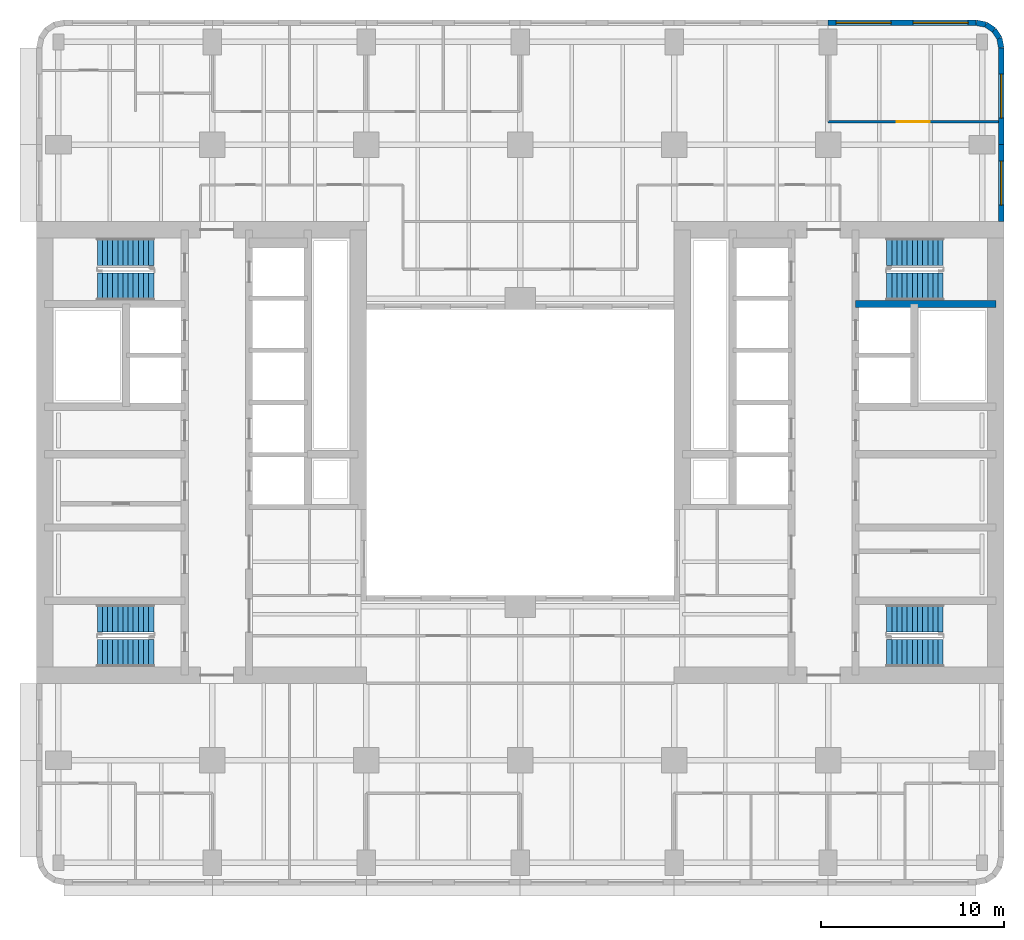
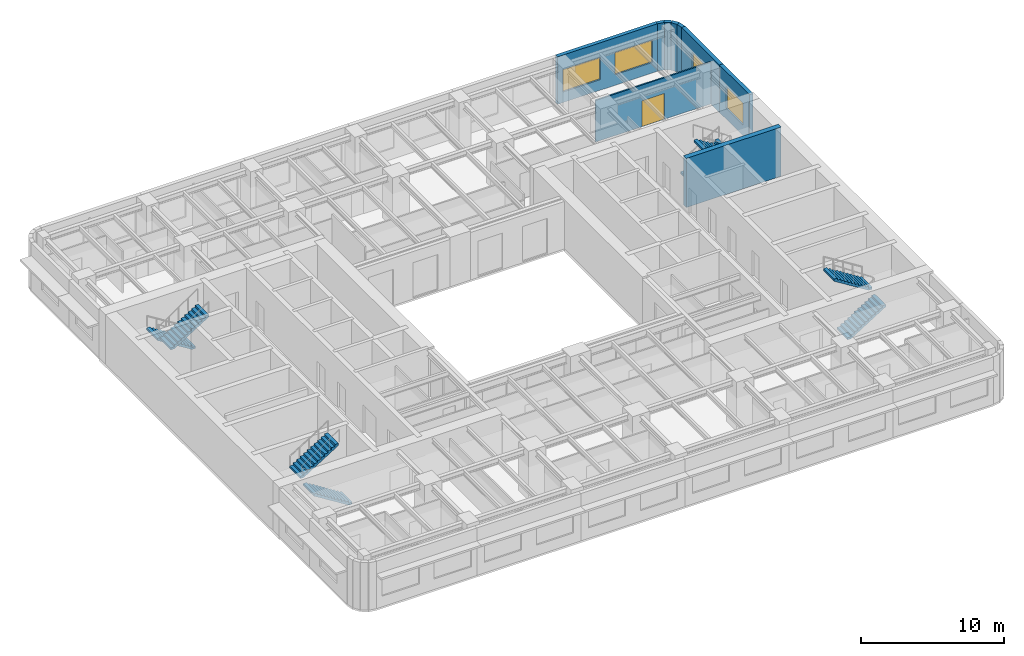
# One storey, part 8 of 11: 9 walls, 8 stair flights, 4 windows, 1 door, 5 openings, 4 elements without a shape of their own.
"""IFC4 building model written with IfcOpenShell, lengths in metres."""

from ifc_helpers import new_model, si_unit, direction, frame, frame_2d, origin, place, context, subcontext, project, spatial, polyline, rectangle, outline, extrude, material, layer, layer_set, type_object, element, fill, aggregate, save


model = new_model("IFC4")

# Units and contexts
model_context = context("Model", 3, precision=1e-05, world=origin(), true_north=direction((0.0, 1.0)))
body_context = subcontext(model_context, "Body", "Model", "MODEL_VIEW")
ifc_project = project(units=[si_unit("LENGTHUNIT", "METRE"), si_unit("AREAUNIT", "SQUARE_METRE"), si_unit("VOLUMEUNIT", "CUBIC_METRE"), si_unit("PLANEANGLEUNIT", "RADIAN"), si_unit("MASSUNIT", "GRAM", prefix="KILO")], contexts=[model_context])

# Site, building, storey
site_placement = place(None, origin())
site = spatial("IfcSite", under=ifc_project, at=site_placement, CompositionType="ELEMENT")
building_placement = place(site_placement, origin())
building = spatial("IfcBuilding", under=site, at=building_placement, Name="Claustro Exchange Tower", CompositionType="ELEMENT")
storey_placement = place(building_placement, frame((0.0, 0.0, 130.199951171875)))
storey = spatial("IfcBuildingStorey", under=building, at=storey_placement, Name="L29", CompositionType="ELEMENT", Elevation=130.199951171875)

# Wall, opening, door
ifc_material_1 = material(Name="Laminated glass in aluminium frame", Category="aluminium")
ifc_layer_1 = layer(ifc_material_1, 0.1201171875)
ifc_layer_set_1 = layer_set([ifc_layer_1], Name="Laminated glass in aluminium frame")
wall_type_1 = type_object("IfcWallType", Name="P2 120 glazed partition", PredefinedType="PARTITIONING", material=ifc_layer_set_1)
wall_1_placement = place(storey_placement, frame((42.0, 43.25, 0.0), z_axis=(0.0, 0.0, 1.0), x_axis=(1.0, 0.0, 0.0)))
wall_1 = element("IfcWall", 1, at=wall_1_placement, inside=storey, type_object=wall_type_1, Name="Partition P2 L29", PredefinedType="PARTITIONING", context=body_context, shape_type="SweptSolid", body=[
    extrude(rectangle(XDim=9.302001953125, YDim=0.1201171875, at=frame_2d((4.65087890625, 0.0))), origin(), (0.0, 0.0, 1.0), 3.550048828125),
])
opening_1_placement = place(wall_1_placement, frame((3.75, 0.0, 0.0)))
opening_1 = element("IfcOpeningElement", 2, at=opening_1_placement, cuts=wall_1, Name="Opening D2", PredefinedType="OPENING", context=body_context, shape_type="SweptSolid", body=[
    extrude(rectangle(XDim=1.800048828125, YDim=2.199951171875, at=frame_2d((0.89990234375, 1.10009765625))), frame((0.0, 0.070068359375, 0.0), z_axis=(0.0, -1.0, 0.0), x_axis=(1.0, 0.0, 0.0)), (0.0, 0.0, 1.0), 0.14013671875),
])
ifc_material_2 = material(Name="Timber door, oak veneer", Category="wood")
door_type = type_object("IfcDoorType", Name="D2 1800 x 2200 double door", OperationType="DOUBLE_DOOR_SINGLE_SWING", PredefinedType="DOOR", material=ifc_material_2)
door_placement = place(opening_1_placement, origin())
door = element("IfcDoor", 3, at=door_placement, inside=storey, type_object=door_type, Name="Double door D2 L29", OperationType="DOUBLE_DOOR_SINGLE_SWING", OverallHeight=2.199951171875, OverallWidth=1.800048828125, PredefinedType="DOOR", context=body_context, shape_type="SweptSolid", body=[
    extrude(rectangle(XDim=1.800048828125, YDim=2.199951171875, at=frame_2d((0.89990234375, 1.10009765625))), frame((0.0, 0.02490234375, 0.0), z_axis=(0.0, -1.0, 0.0), x_axis=(1.0, 0.0, 0.0)), (0.0, 0.0, 1.0), 0.050048828125),
])
fill(opening_1, door)

# Wall, openings, windows
ifc_material_3 = material(Name="Concrete HA-40 (C40/50), precast, white cement, acid-etched", Category="concrete")
ifc_layer_2 = layer(ifc_material_3, 0.300048828125)
ifc_layer_set_2 = layer_set([ifc_layer_2], Name="Concrete HA-40 (C40/50), precast, white cement, acid-etched")
wall_type_2 = type_object("IfcWallType", Name="PC1 300 precast concrete pier panel", PredefinedType="SOLIDWALL", material=ifc_layer_set_2)
wall_2_placement = place(storey_placement, frame((42.0, 48.64990234375, 0.0), z_axis=(0.0, 0.0, 1.0), x_axis=(1.0, 0.0, 0.0)))
wall_2 = element("IfcWall", 4, at=wall_2_placement, inside=storey, type_object=wall_type_2, Name="Precast pier panel PC1 L29", PredefinedType="SOLIDWALL", context=body_context, shape_type="SweptSolid", body=[
    extrude(rectangle(XDim=8.085205078125, YDim=0.300048828125, at=frame_2d((4.04248046875, 0.0))), origin(), (0.0, 0.0, 1.0), 4.050048828125),
])
opening_2_placement = place(wall_2_placement, frame((0.442626953125, 0.0, 0.89990234375)))
opening_2 = element("IfcOpeningElement", 5, at=opening_2_placement, cuts=wall_2, Name="Opening W1", PredefinedType="OPENING", context=body_context, shape_type="SweptSolid", body=[
    extrude(rectangle(XDim=3.0, YDim=1.89990234375, at=frame_2d((1.5, 0.949951171875))), frame((0.0, 0.159912109375, 0.0), z_axis=(0.0, -1.0, 0.0), x_axis=(1.0, 0.0, 0.0)), (0.0, 0.0, 1.0), 0.320068359375),
])
opening_3_placement = place(wall_2_placement, frame((4.642578125, 0.0, 0.89990234375)))
opening_3 = element("IfcOpeningElement", 6, at=opening_3_placement, cuts=wall_2, Name="Opening W1", PredefinedType="OPENING", context=body_context, shape_type="SweptSolid", body=[
    extrude(rectangle(XDim=3.0, YDim=1.89990234375, at=frame_2d((1.5, 0.949951171875))), frame((0.0, 0.159912109375, 0.0), z_axis=(0.0, -1.0, 0.0), x_axis=(1.0, 0.0, 0.0)), (0.0, 0.0, 1.0), 0.320068359375),
])
ifc_material_4 = material(Name="Aluminium frame, clear double glazing", Category="aluminium")
window_type_1 = type_object("IfcWindowType", Name="W1 3000 x 1900 window", PartitioningType="SINGLE_PANEL", PredefinedType="WINDOW", material=ifc_material_4)
window_1_placement = place(opening_2_placement, origin())
window_1 = element("IfcWindow", 7, at=window_1_placement, inside=storey, type_object=window_type_1, Name="Window W1 L29", OverallHeight=1.89990234375, OverallWidth=3.0, PartitioningType="SINGLE_PANEL", PredefinedType="WINDOW", context=body_context, shape_type="SweptSolid", body=[
    extrude(rectangle(XDim=3.0, YDim=1.89990234375, at=frame_2d((1.5, 0.949951171875))), frame((0.0, 0.030029296875, 0.0), z_axis=(0.0, -1.0, 0.0), x_axis=(1.0, 0.0, 0.0)), (0.0, 0.0, 1.0), 0.06005859375),
])
fill(opening_2, window_1)
window_2_placement = place(opening_3_placement, origin())
window_2 = element("IfcWindow", 8, at=window_2_placement, inside=storey, type_object=window_type_1, Name="Window W1 L29", OverallHeight=1.89990234375, OverallWidth=3.0, PartitioningType="SINGLE_PANEL", PredefinedType="WINDOW", context=body_context, shape_type="SweptSolid", body=[
    extrude(rectangle(XDim=3.0, YDim=1.89990234375, at=frame_2d((1.5, 0.949951171875))), frame((0.0, 0.030029296875, 0.0), z_axis=(0.0, -1.0, 0.0), x_axis=(1.0, 0.0, 0.0)), (0.0, 0.0, 1.0), 0.06005859375),
])
fill(opening_3, window_2)

# Walls
wall_3_placement = place(storey_placement, frame((50.085205078125, 48.64990234375, 0.0), z_axis=(0.0, 0.0, 1.0), x_axis=(0.980788534345, -0.195073962632, 0.0)))
element("IfcWall", 9, at=wall_3_placement, inside=storey, type_object=wall_type_2, Name="Precast pier panel PC1 L29", PredefinedType="SOLIDWALL", context=body_context, shape_type="SweptSolid", body=[
    extrude(rectangle(XDim=0.540771484375, YDim=0.300048828125, at=frame_2d((0.2705078125, 0.0))), origin(), (0.0, 0.0, 1.0), 4.050048828125),
])
wall_4_placement = place(storey_placement, frame((50.615478515625, 48.54443359375, 0.0), z_axis=(0.0, 0.0, 1.0), x_axis=(0.831692711774, -0.555236195849, 0.0)))
element("IfcWall", 10, at=wall_4_placement, inside=storey, type_object=wall_type_2, Name="Precast pier panel PC1 L29", PredefinedType="SOLIDWALL", context=body_context, shape_type="SweptSolid", body=[
    extrude(rectangle(XDim=0.525390625, YDim=0.300048828125, at=frame_2d((0.2626953125, 0.0))), origin(), (0.0, 0.0, 1.0), 4.050048828125),
])
wall_5_placement = place(storey_placement, frame((51.052490234375, 48.252685546875, 0.0), z_axis=(0.0, 0.0, 1.0), x_axis=(0.55534295404, -0.831621430339, 0.0)))
element("IfcWall", 11, at=wall_5_placement, inside=storey, type_object=wall_type_2, Name="Precast pier panel PC1 L29", PredefinedType="SOLIDWALL", context=body_context, shape_type="SweptSolid", body=[
    extrude(rectangle(XDim=0.52587890625, YDim=0.300048828125, at=frame_2d((0.262939453125, 0.0))), origin(), (0.0, 0.0, 1.0), 4.050048828125),
])
wall_6_placement = place(storey_placement, frame((51.344482421875, 47.8154296875, 0.0), z_axis=(0.0, 0.0, 1.0), x_axis=(0.195073962632, -0.980788534345, 0.0)))
element("IfcWall", 12, at=wall_6_placement, inside=storey, type_object=wall_type_2, Name="Precast pier panel PC1 L29", PredefinedType="SOLIDWALL", context=body_context, shape_type="SweptSolid", body=[
    extrude(rectangle(XDim=0.540771484375, YDim=0.300048828125, at=frame_2d((0.2705078125, 0.0))), origin(), (0.0, 0.0, 1.0), 4.050048828125),
])

# Wall, opening, window
wall_7_placement = place(storey_placement, frame((51.449951171875, 47.28515625, 0.0), z_axis=(0.0, 0.0, 1.0), x_axis=(0.0, -1.0, 0.0)))
wall_7 = element("IfcWall", 13, at=wall_7_placement, inside=storey, type_object=wall_type_2, Name="Precast pier panel PC1 L29", PredefinedType="SOLIDWALL", context=body_context, shape_type="SweptSolid", body=[
    extrude(rectangle(XDim=5.28515625, YDim=0.300048828125, at=frame_2d((2.642578125, 0.0))), origin(), (0.0, 0.0, 1.0), 4.050048828125),
])
opening_4_placement = place(wall_7_placement, frame((1.442626953125, 0.0, 0.89990234375)))
opening_4 = element("IfcOpeningElement", 14, at=opening_4_placement, cuts=wall_7, Name="Opening W2", PredefinedType="OPENING", context=body_context, shape_type="SweptSolid", body=[
    extrude(rectangle(XDim=2.39990234375, YDim=1.89990234375, at=frame_2d((1.199951171875, 0.949951171875))), frame((0.0, 0.159912109375, 0.0), z_axis=(0.0, -1.0, 0.0), x_axis=(1.0, 0.0, 0.0)), (0.0, 0.0, 1.0), 0.320068359375),
])
ifc_material_5 = material(Name="Aluminium frame, clear double glazing", Category="aluminium")
window_type_2 = type_object("IfcWindowType", Name="W2 2400 x 1900 window", PartitioningType="SINGLE_PANEL", PredefinedType="WINDOW", material=ifc_material_5)
window_3_placement = place(opening_4_placement, origin())
window_3 = element("IfcWindow", 15, at=window_3_placement, inside=storey, type_object=window_type_2, Name="Window W2 L29", OverallHeight=1.89990234375, OverallWidth=2.39990234375, PartitioningType="SINGLE_PANEL", PredefinedType="WINDOW", context=body_context, shape_type="SweptSolid", body=[
    extrude(rectangle(XDim=2.39990234375, YDim=1.89990234375, at=frame_2d((1.199951171875, 0.949951171875))), frame((0.0, 0.030029296875, 0.0), z_axis=(0.0, -1.0, 0.0), x_axis=(1.0, 0.0, 0.0)), (0.0, 0.0, 1.0), 0.06005859375),
])
fill(opening_4, window_3)

wall_8_placement = place(storey_placement, frame((51.449951171875, 42.0, 0.0), z_axis=(0.0, 0.0, 1.0), x_axis=(0.0, -1.0, 0.0)))
wall_8 = element("IfcWall", 16, at=wall_8_placement, inside=storey, type_object=wall_type_2, Name="Precast pier panel PC1 L29", PredefinedType="SOLIDWALL", context=body_context, shape_type="SweptSolid", body=[
    extrude(rectangle(XDim=4.199951171875, YDim=0.300048828125, at=frame_2d((2.10009765625, 0.0))), origin(), (0.0, 0.0, 1.0), 4.050048828125),
])
opening_5_placement = place(wall_8_placement, frame((0.89990234375, 0.0, 0.89990234375)))
opening_5 = element("IfcOpeningElement", 17, at=opening_5_placement, cuts=wall_8, Name="Opening W2", PredefinedType="OPENING", context=body_context, shape_type="SweptSolid", body=[
    extrude(rectangle(XDim=2.39990234375, YDim=1.89990234375, at=frame_2d((1.199951171875, 0.949951171875))), frame((0.0, 0.159912109375, 0.0), z_axis=(0.0, -1.0, 0.0), x_axis=(1.0, 0.0, 0.0)), (0.0, 0.0, 1.0), 0.320068359375),
])
window_4_placement = place(opening_5_placement, origin())
window_4 = element("IfcWindow", 18, at=window_4_placement, inside=storey, type_object=window_type_2, Name="Window W2 L29", OverallHeight=1.89990234375, OverallWidth=2.39990234375, PartitioningType="SINGLE_PANEL", PredefinedType="WINDOW", context=body_context, shape_type="SweptSolid", body=[
    extrude(rectangle(XDim=2.39990234375, YDim=1.89990234375, at=frame_2d((1.199951171875, 0.949951171875))), frame((0.0, 0.030029296875, 0.0), z_axis=(0.0, -1.0, 0.0), x_axis=(1.0, 0.0, 0.0)), (0.0, 0.0, 1.0), 0.06005859375),
])
fill(opening_5, window_4)

# Wall
ifc_material_6 = material(Name="Concrete HA-50 (C50/60)", Category="concrete")
ifc_layer_3 = layer(ifc_material_6, 0.39990234375)
ifc_layer_set_3 = layer_set([ifc_layer_3], Name="Concrete HA-50 (C50/60)")
wall_type_3 = type_object("IfcWallType", Name="SW4 400 internal core wall", PredefinedType="SHEAR", material=ifc_layer_set_3)
wall_9_placement = place(storey_placement, frame((51.14990234375, 33.300048828125, 0.0), z_axis=(0.0, 0.0, 1.0), x_axis=(-1.0, 0.0, 0.0)))
element("IfcWall", 19, at=wall_9_placement, inside=storey, type_object=wall_type_3, Name="Internal core wall SW4 E core L29", PredefinedType="SHEAR", context=body_context, shape_type="SweptSolid", body=[
    extrude(rectangle(XDim=7.64990234375, YDim=0.39990234375, at=frame_2d((3.824951171875, 0.0))), origin(), (0.0, 0.0, 1.0), 4.199951171875),
])

# Stair, stair flights
ifc_material_7 = material(Name="Concrete HA-30 (C30/37), precast", Category="concrete")
stair_type = type_object("IfcStairType", Name="ST1 half-turn stair, 24 risers of 175", PredefinedType="HALF_TURN_STAIR", material=ifc_material_7)
stair_1_placement = place(storey_placement, origin())
stair_1 = element("IfcStair", 20, at=stair_1_placement, inside=storey, type_object=stair_type, Name="Stair STWA L29", PredefinedType="HALF_TURN_STAIR")
ifc_material_8 = material(Name="Concrete HA-30 (C30/37), precast", Category="concrete")
stair_flight_type = type_object("IfcStairFlightType", Name="SF12A straight flight, 12 risers of 175, 1500 wide", PredefinedType="STRAIGHT", material=ifc_material_8)
stair_flight_1_placement = place(storey_placement, frame((5.199951171875, 14.25, 0.0), z_axis=(0.0, 0.0, 1.0), x_axis=(-1.0, 0.0, 0.0)))
stair_flight_1 = element("IfcStairFlight", 21, at=stair_flight_1_placement, type_object=stair_flight_type, Name="STWA flight 1", NumberOfRisers=12, NumberOfTreads=11, PredefinedType="STRAIGHT", RiserHeight=0.175, TreadLength=0.28, context=body_context, shape_type="SweptSolid", body=[
    extrude(outline(polyline([(0.0, 0.0), (0.0, 0.175048828125), (0.280029296875, 0.175048828125), (0.280029296875, 0.35009765625), (0.56005859375, 0.35009765625), (0.56005859375, 0.52490234375), (0.840087890625, 0.52490234375), (0.840087890625, 0.699951171875), (1.1201171875, 0.699951171875), (1.1201171875, 0.875), (1.39990234375, 0.875), (1.39990234375, 1.050048828125), (1.679931640625, 1.050048828125), (1.679931640625, 1.22509765625), (1.9599609375, 1.22509765625), (1.9599609375, 1.39990234375), (2.239990234375, 1.39990234375), (2.239990234375, 1.574951171875), (2.52001953125, 1.574951171875), (2.52001953125, 1.75), (2.800048828125, 1.75), (2.800048828125, 1.925048828125), (3.080078125, 1.925048828125), (3.080078125, 2.10009765625), (3.080078125, 1.748291015625), (0.28271484375, 0.0), (0.0, 0.0)])), frame((0.0, 0.75, 0.0), z_axis=(0.0, -1.0, 0.0), x_axis=(1.0, 0.0, 0.0)), (0.0, 0.0, 1.0), 1.5),
])
stair_flight_2_placement = place(storey_placement, frame((2.1201171875, 16.14990234375, 2.10009765625), z_axis=(0.0, 0.0, 1.0), x_axis=(1.0, 0.0, 0.0)))
stair_flight_2 = element("IfcStairFlight", 22, at=stair_flight_2_placement, type_object=stair_flight_type, Name="STWA flight 2", NumberOfRisers=12, NumberOfTreads=11, PredefinedType="STRAIGHT", RiserHeight=0.175, TreadLength=0.28, context=body_context, shape_type="SweptSolid", body=[
    extrude(outline(polyline([(0.0, 0.0), (0.0, 0.175048828125), (0.280029296875, 0.175048828125), (0.280029296875, 0.35009765625), (0.56005859375, 0.35009765625), (0.56005859375, 0.52490234375), (0.840087890625, 0.52490234375), (0.840087890625, 0.699951171875), (1.1201171875, 0.699951171875), (1.1201171875, 0.875), (1.39990234375, 0.875), (1.39990234375, 1.050048828125), (1.679931640625, 1.050048828125), (1.679931640625, 1.22509765625), (1.9599609375, 1.22509765625), (1.9599609375, 1.39990234375), (2.239990234375, 1.39990234375), (2.239990234375, 1.574951171875), (2.52001953125, 1.574951171875), (2.52001953125, 1.75), (2.800048828125, 1.75), (2.800048828125, 1.925048828125), (3.080078125, 1.925048828125), (3.080078125, 2.10009765625), (3.080078125, 1.748291015625), (0.28271484375, 0.0), (0.0, 0.0)])), frame((0.0, 0.75, 0.0), z_axis=(0.0, -1.0, 0.0), x_axis=(1.0, 0.0, 0.0)), (0.0, 0.0, 1.0), 1.5),
])
aggregate(stair_1, [stair_flight_1, stair_flight_2])

stair_2_placement = place(storey_placement, origin())
stair_2 = element("IfcStair", 23, at=stair_2_placement, inside=storey, type_object=stair_type, Name="Stair STWB L29", PredefinedType="HALF_TURN_STAIR")
stair_flight_3_placement = place(storey_placement, frame((5.199951171875, 36.14990234375, 0.0), z_axis=(0.0, 0.0, 1.0), x_axis=(-1.0, 0.0, 0.0)))
stair_flight_3 = element("IfcStairFlight", 24, at=stair_flight_3_placement, type_object=stair_flight_type, Name="STWB flight 1", NumberOfRisers=12, NumberOfTreads=11, PredefinedType="STRAIGHT", RiserHeight=0.175, TreadLength=0.28, context=body_context, shape_type="SweptSolid", body=[
    extrude(outline(polyline([(0.0, 0.0), (0.0, 0.175048828125), (0.280029296875, 0.175048828125), (0.280029296875, 0.35009765625), (0.56005859375, 0.35009765625), (0.56005859375, 0.52490234375), (0.840087890625, 0.52490234375), (0.840087890625, 0.699951171875), (1.1201171875, 0.699951171875), (1.1201171875, 0.875), (1.39990234375, 0.875), (1.39990234375, 1.050048828125), (1.679931640625, 1.050048828125), (1.679931640625, 1.22509765625), (1.9599609375, 1.22509765625), (1.9599609375, 1.39990234375), (2.239990234375, 1.39990234375), (2.239990234375, 1.574951171875), (2.52001953125, 1.574951171875), (2.52001953125, 1.75), (2.800048828125, 1.75), (2.800048828125, 1.925048828125), (3.080078125, 1.925048828125), (3.080078125, 2.10009765625), (3.080078125, 1.748291015625), (0.28271484375, 0.0), (0.0, 0.0)])), frame((0.0, 0.75, 0.0), z_axis=(0.0, -1.0, 0.0), x_axis=(1.0, 0.0, 0.0)), (0.0, 0.0, 1.0), 1.5),
])
stair_flight_4_placement = place(storey_placement, frame((2.1201171875, 34.25, 2.10009765625), z_axis=(0.0, 0.0, 1.0), x_axis=(1.0, 0.0, 0.0)))
stair_flight_4 = element("IfcStairFlight", 25, at=stair_flight_4_placement, type_object=stair_flight_type, Name="STWB flight 2", NumberOfRisers=12, NumberOfTreads=11, PredefinedType="STRAIGHT", RiserHeight=0.175, TreadLength=0.28, context=body_context, shape_type="SweptSolid", body=[
    extrude(outline(polyline([(0.0, 0.0), (0.0, 0.175048828125), (0.280029296875, 0.175048828125), (0.280029296875, 0.35009765625), (0.56005859375, 0.35009765625), (0.56005859375, 0.52490234375), (0.840087890625, 0.52490234375), (0.840087890625, 0.699951171875), (1.1201171875, 0.699951171875), (1.1201171875, 0.875), (1.39990234375, 0.875), (1.39990234375, 1.050048828125), (1.679931640625, 1.050048828125), (1.679931640625, 1.22509765625), (1.9599609375, 1.22509765625), (1.9599609375, 1.39990234375), (2.239990234375, 1.39990234375), (2.239990234375, 1.574951171875), (2.52001953125, 1.574951171875), (2.52001953125, 1.75), (2.800048828125, 1.75), (2.800048828125, 1.925048828125), (3.080078125, 1.925048828125), (3.080078125, 2.10009765625), (3.080078125, 1.748291015625), (0.28271484375, 0.0), (0.0, 0.0)])), frame((0.0, 0.75, 0.0), z_axis=(0.0, -1.0, 0.0), x_axis=(1.0, 0.0, 0.0)), (0.0, 0.0, 1.0), 1.5),
])
aggregate(stair_2, [stair_flight_3, stair_flight_4])

stair_3_placement = place(storey_placement, origin())
stair_3 = element("IfcStair", 26, at=stair_3_placement, inside=storey, type_object=stair_type, Name="Stair STEA L29", PredefinedType="HALF_TURN_STAIR")
stair_flight_5_placement = place(storey_placement, frame((45.199951171875, 14.25, 0.0), z_axis=(0.0, 0.0, 1.0), x_axis=(1.0, 0.0, 0.0)))
stair_flight_5 = element("IfcStairFlight", 27, at=stair_flight_5_placement, type_object=stair_flight_type, Name="STEA flight 1", NumberOfRisers=12, NumberOfTreads=11, PredefinedType="STRAIGHT", RiserHeight=0.175, TreadLength=0.28, context=body_context, shape_type="SweptSolid", body=[
    extrude(outline(polyline([(0.0, 0.0), (0.0, 0.175048828125), (0.280029296875, 0.175048828125), (0.280029296875, 0.35009765625), (0.56005859375, 0.35009765625), (0.56005859375, 0.52490234375), (0.840087890625, 0.52490234375), (0.840087890625, 0.699951171875), (1.1201171875, 0.699951171875), (1.1201171875, 0.875), (1.39990234375, 0.875), (1.39990234375, 1.050048828125), (1.679931640625, 1.050048828125), (1.679931640625, 1.22509765625), (1.9599609375, 1.22509765625), (1.9599609375, 1.39990234375), (2.239990234375, 1.39990234375), (2.239990234375, 1.574951171875), (2.52001953125, 1.574951171875), (2.52001953125, 1.75), (2.800048828125, 1.75), (2.800048828125, 1.925048828125), (3.080078125, 1.925048828125), (3.080078125, 2.10009765625), (3.080078125, 1.748291015625), (0.28271484375, 0.0), (0.0, 0.0)])), frame((0.0, 0.75, 0.0), z_axis=(0.0, -1.0, 0.0), x_axis=(1.0, 0.0, 0.0)), (0.0, 0.0, 1.0), 1.5),
])
stair_flight_6_placement = place(storey_placement, frame((48.280029296875, 16.14990234375, 2.10009765625), z_axis=(0.0, 0.0, 1.0), x_axis=(-1.0, 0.0, 0.0)))
stair_flight_6 = element("IfcStairFlight", 28, at=stair_flight_6_placement, type_object=stair_flight_type, Name="STEA flight 2", NumberOfRisers=12, NumberOfTreads=11, PredefinedType="STRAIGHT", RiserHeight=0.175, TreadLength=0.28, context=body_context, shape_type="SweptSolid", body=[
    extrude(outline(polyline([(0.0, 0.0), (0.0, 0.175048828125), (0.280029296875, 0.175048828125), (0.280029296875, 0.35009765625), (0.56005859375, 0.35009765625), (0.56005859375, 0.52490234375), (0.840087890625, 0.52490234375), (0.840087890625, 0.699951171875), (1.1201171875, 0.699951171875), (1.1201171875, 0.875), (1.39990234375, 0.875), (1.39990234375, 1.050048828125), (1.679931640625, 1.050048828125), (1.679931640625, 1.22509765625), (1.9599609375, 1.22509765625), (1.9599609375, 1.39990234375), (2.239990234375, 1.39990234375), (2.239990234375, 1.574951171875), (2.52001953125, 1.574951171875), (2.52001953125, 1.75), (2.800048828125, 1.75), (2.800048828125, 1.925048828125), (3.080078125, 1.925048828125), (3.080078125, 2.10009765625), (3.080078125, 1.748291015625), (0.28271484375, 0.0), (0.0, 0.0)])), frame((0.0, 0.75, 0.0), z_axis=(0.0, -1.0, 0.0), x_axis=(1.0, 0.0, 0.0)), (0.0, 0.0, 1.0), 1.5),
])
aggregate(stair_3, [stair_flight_5, stair_flight_6])

stair_4_placement = place(storey_placement, origin())
stair_4 = element("IfcStair", 29, at=stair_4_placement, inside=storey, type_object=stair_type, Name="Stair STEB L29", PredefinedType="HALF_TURN_STAIR")
stair_flight_7_placement = place(storey_placement, frame((45.199951171875, 36.14990234375, 0.0), z_axis=(0.0, 0.0, 1.0), x_axis=(1.0, 0.0, 0.0)))
stair_flight_7 = element("IfcStairFlight", 30, at=stair_flight_7_placement, type_object=stair_flight_type, Name="STEB flight 1", NumberOfRisers=12, NumberOfTreads=11, PredefinedType="STRAIGHT", RiserHeight=0.175, TreadLength=0.28, context=body_context, shape_type="SweptSolid", body=[
    extrude(outline(polyline([(0.0, 0.0), (0.0, 0.175048828125), (0.280029296875, 0.175048828125), (0.280029296875, 0.35009765625), (0.56005859375, 0.35009765625), (0.56005859375, 0.52490234375), (0.840087890625, 0.52490234375), (0.840087890625, 0.699951171875), (1.1201171875, 0.699951171875), (1.1201171875, 0.875), (1.39990234375, 0.875), (1.39990234375, 1.050048828125), (1.679931640625, 1.050048828125), (1.679931640625, 1.22509765625), (1.9599609375, 1.22509765625), (1.9599609375, 1.39990234375), (2.239990234375, 1.39990234375), (2.239990234375, 1.574951171875), (2.52001953125, 1.574951171875), (2.52001953125, 1.75), (2.800048828125, 1.75), (2.800048828125, 1.925048828125), (3.080078125, 1.925048828125), (3.080078125, 2.10009765625), (3.080078125, 1.748291015625), (0.28271484375, 0.0), (0.0, 0.0)])), frame((0.0, 0.75, 0.0), z_axis=(0.0, -1.0, 0.0), x_axis=(1.0, 0.0, 0.0)), (0.0, 0.0, 1.0), 1.5),
])
stair_flight_8_placement = place(storey_placement, frame((48.280029296875, 34.25, 2.10009765625), z_axis=(0.0, 0.0, 1.0), x_axis=(-1.0, 0.0, 0.0)))
stair_flight_8 = element("IfcStairFlight", 31, at=stair_flight_8_placement, type_object=stair_flight_type, Name="STEB flight 2", NumberOfRisers=12, NumberOfTreads=11, PredefinedType="STRAIGHT", RiserHeight=0.175, TreadLength=0.28, context=body_context, shape_type="SweptSolid", body=[
    extrude(outline(polyline([(0.0, 0.0), (0.0, 0.175048828125), (0.280029296875, 0.175048828125), (0.280029296875, 0.35009765625), (0.56005859375, 0.35009765625), (0.56005859375, 0.52490234375), (0.840087890625, 0.52490234375), (0.840087890625, 0.699951171875), (1.1201171875, 0.699951171875), (1.1201171875, 0.875), (1.39990234375, 0.875), (1.39990234375, 1.050048828125), (1.679931640625, 1.050048828125), (1.679931640625, 1.22509765625), (1.9599609375, 1.22509765625), (1.9599609375, 1.39990234375), (2.239990234375, 1.39990234375), (2.239990234375, 1.574951171875), (2.52001953125, 1.574951171875), (2.52001953125, 1.75), (2.800048828125, 1.75), (2.800048828125, 1.925048828125), (3.080078125, 1.925048828125), (3.080078125, 2.10009765625), (3.080078125, 1.748291015625), (0.28271484375, 0.0), (0.0, 0.0)])), frame((0.0, 0.75, 0.0), z_axis=(0.0, -1.0, 0.0), x_axis=(1.0, 0.0, 0.0)), (0.0, 0.0, 1.0), 1.5),
])
aggregate(stair_4, [stair_flight_7, stair_flight_8])

save(model, "model.ifc")
